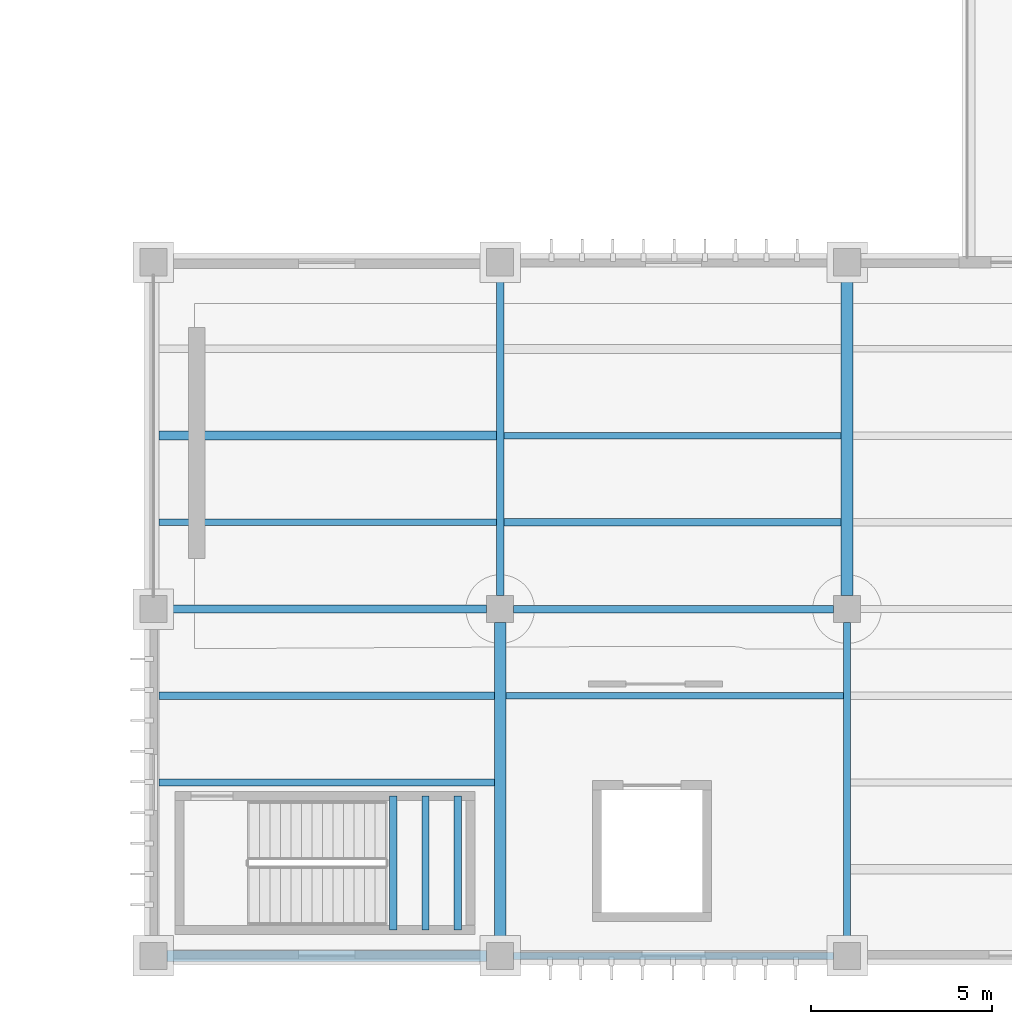
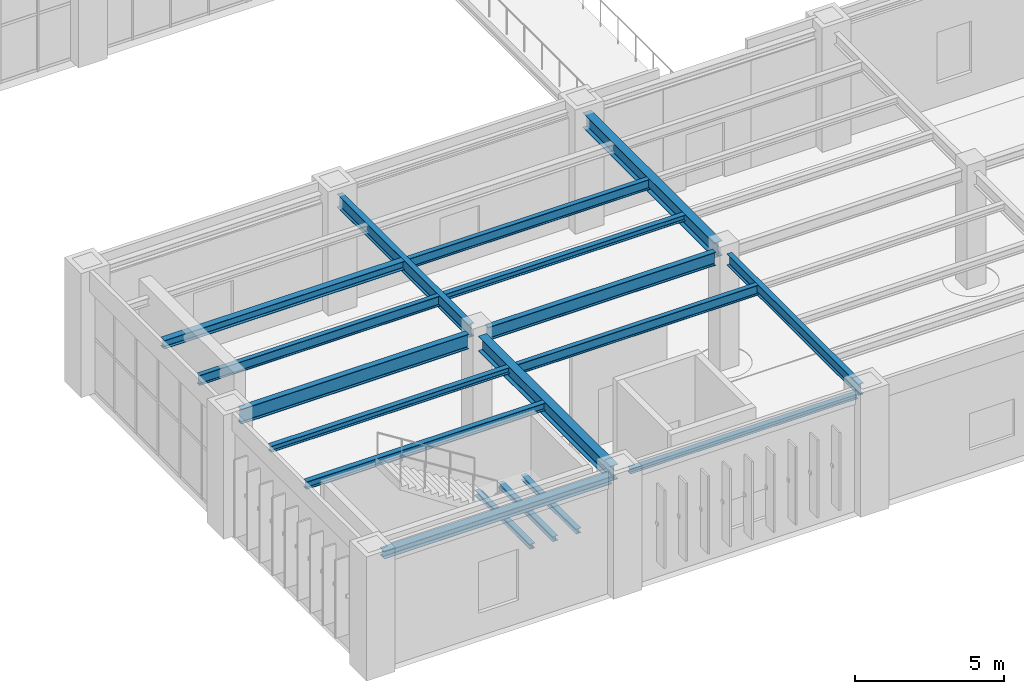
# One storey, part 45 of 174: 18 beams.
"""IFC4 building model written with IfcOpenShell, lengths in metres."""

import ifcopenshell
import ifcopenshell.guid

model = None  # the IFC model being written
_history = None  # IfcOwnerHistory: only IFC2X3 demands one
_inside = {}  # id of a spatial element -> (the spatial element, [elements in it])
_under = {}  # id of a project, library or spatial element -> (it, [spatial elements below it])
_declared = {}  # id of a project -> (the project, [libraries it declares])
_typed = {}  # id of a type object -> (the type object, [elements of that type])
_made_of = {}  # id of a material, layer set ... -> (it, [elements and type objects made of it])


def new_model(schema):
    """Start an empty IFC model of exactly this schema.

    Asked for "IFC4X3", IfcOpenShell would pick the latest addendum, in which some entities
    have other attributes; the version numbers below select the first issue.
    IFC2X3 requires an IfcOwnerHistory on every rooted entity: one is made here for all.
    """
    global model, _history
    if schema == "IFC4X3":
        model = ifcopenshell.file(schema_version=(4, 3, 0, 0))
    else:
        model = ifcopenshell.file(schema=schema)
    _inside.clear()
    _under.clear()
    _declared.clear()
    _typed.clear()
    _made_of.clear()
    _history = None
    if model.schema == "IFC2X3":
        org = make("IfcOrganization", Name="unknown")
        user = make(
            "IfcPersonAndOrganization",
            ThePerson=make("IfcPerson", FamilyName="unknown"),
            TheOrganization=org,
        )
        app = make(
            "IfcApplication",
            ApplicationDeveloper=org,
            Version="unknown",
            ApplicationFullName="unknown",
            ApplicationIdentifier="unknown",
        )
        _history = make(
            "IfcOwnerHistory",
            OwningUser=user,
            OwningApplication=app,
            ChangeAction="ADDED",
            CreationDate=0,
        )
    return model


def make(cls, **values):
    """One entity of the class cls with the attributes given. An attribute that is None is left unset."""
    return model.create_entity(
        cls, **{name: value for name, value in values.items() if value is not None}
    )


def rooted(cls, **values):
    """An entity with a GlobalId (a new one), such as an element, a storey or a relation."""
    return make(cls, GlobalId=ifcopenshell.guid.new(), OwnerHistory=_history, **values)


def si_unit(unit_type, name, prefix=None):
    """IfcSIUnit, for example si_unit("LENGTHUNIT", "METRE", prefix="MILLI")."""
    return make("IfcSIUnit", UnitType=unit_type, Prefix=prefix, Name=name)


def assignment(units):
    """IfcUnitAssignment: the units of a project."""
    return None if units is None else make("IfcUnitAssignment", Units=units)


def point(xyz):
    """IfcCartesianPoint."""
    return None if xyz is None else make("IfcCartesianPoint", Coordinates=xyz)


def direction(xyz):
    """IfcDirection."""
    return None if xyz is None else make("IfcDirection", DirectionRatios=xyz)


def frame(location, z_axis=None, x_axis=None):
    """IfcAxis2Placement3D, a coordinate frame: its origin and axes. An axis left out is left unset."""
    return make(
        "IfcAxis2Placement3D",
        Location=point(location),
        Axis=direction(z_axis),
        RefDirection=direction(x_axis),
    )


def frame_2d(location, x_axis=None):
    """IfcAxis2Placement2D, a coordinate frame in the plane: its origin and x axis."""
    return make(
        "IfcAxis2Placement2D", Location=point(location), RefDirection=direction(x_axis)
    )


def origin():
    """The frame at (0, 0, 0) with its axes left unset."""
    return frame((0.0, 0.0, 0.0))


def origin_2d():
    """The frame at (0, 0) in the plane with its x axis left unset."""
    return frame_2d((0.0, 0.0))


def place(relative_to, where):
    """IfcLocalPlacement: puts the frame where relative to a parent placement (None: the world)."""
    return make(
        "IfcLocalPlacement", PlacementRelTo=relative_to, RelativePlacement=where
    )


def context(
    kind, dimensions, precision=None, world=None, true_north=None, identifier=None
):
    """IfcGeometricRepresentationContext, for example the 3D "Model" context."""
    return make(
        "IfcGeometricRepresentationContext",
        ContextIdentifier=identifier,
        ContextType=kind,
        CoordinateSpaceDimension=dimensions,
        Precision=precision,
        WorldCoordinateSystem=world,
        TrueNorth=true_north,
    )


def subcontext(parent, identifier, kind, view, scale=None):
    """IfcGeometricRepresentationSubContext, for example "Body" below "Model"."""
    return make(
        "IfcGeometricRepresentationSubContext",
        ContextIdentifier=identifier,
        ContextType=kind,
        ParentContext=parent,
        TargetScale=scale,
        TargetView=view,
    )


def project(units=None, contexts=None):
    """IfcProject with its units and contexts."""
    return rooted(
        "IfcProject",
        Name="project",
        RepresentationContexts=contexts,
        UnitsInContext=assignment(units),
    )


def spatial(cls, under=None, at=None, **own):
    """A site, building, storey or space (cls), placed at a placement, below another one or the project."""
    s = rooted(cls, ObjectPlacement=at, **own)
    if under is not None:
        _under.setdefault(under.id(), (under, []))[1].append(s)
    return s


def profile(cls, at=None, kind="AREA", **sizes):
    """A parametric profile (cls). Its sizes go by their IFC names, for example OverallWidth=200.0."""
    return make(cls, ProfileType=kind, Position=at, **sizes)


def i_section(**sizes):
    """IfcIShapeProfileDef."""
    return profile("IfcIShapeProfileDef", **sizes)


def extrude(swept, where, along, depth):
    """IfcExtrudedAreaSolid: the profile swept, set in the frame where, extruded along a direction by depth."""
    return make(
        "IfcExtrudedAreaSolid",
        SweptArea=swept,
        Position=where,
        ExtrudedDirection=direction(along),
        Depth=depth,
    )


def shape(context_of_items, identifier, shape_type, items):
    """IfcShapeRepresentation: the items that make up one representation, for example the "Body"."""
    return make(
        "IfcShapeRepresentation",
        ContextOfItems=context_of_items,
        RepresentationIdentifier=identifier,
        RepresentationType=shape_type,
        Items=items,
    )


def material(Name=None, Category=None):
    """IfcMaterial."""
    return make("IfcMaterial", Name=Name, Category=Category)


def material_profile(
    of_material, cross_section, Name=None, Category=None, Priority=None
):
    """IfcMaterialProfile: a cross section and its material."""
    return make(
        "IfcMaterialProfile",
        Name=Name,
        Material=of_material,
        Profile=cross_section,
        Priority=Priority,
        Category=Category,
    )


def profile_set(profiles, Name=None, composite=None):
    """IfcMaterialProfileSet."""
    return make(
        "IfcMaterialProfileSet",
        Name=Name,
        MaterialProfiles=profiles,
        CompositeProfile=composite,
    )


def made_of(thing, what):
    """Note that an element or type object is made of a material, layer set ...; save() writes the relation."""
    if what is not None:
        _made_of.setdefault(what.id(), (what, []))[1].append(thing)
    return thing


def type_object(cls, material=None, **own):
    """A type object (cls), such as IfcWallType, which elements share."""
    return made_of(rooted(cls, **own), material)


def element(
    cls,
    number,
    at=None,
    inside=None,
    cuts=None,
    type_object=None,
    material=None,
    context=None,
    identifier="Body",
    shape_type=None,
    held_by="IfcProductDefinitionShape",
    body=None,
    shapes=None,
    **own,
):
    """One element of the class cls, such as IfcWall. Its Tag is "e" and its number.

    at: its placement. inside: the storey or other place that contains it. cuts: it is an
    opening in that element (IfcRelVoidsElement). A single representation is given by context,
    identifier, shape_type and body (its items); several are given by shapes. held_by: the class
    of the entity that holds the representations. save() writes the other relations.
    """
    e = rooted(cls, Tag="e%d" % number, ObjectPlacement=at, **own)
    if body is not None:
        shapes = [shape(context, identifier, shape_type, body)]
    if shapes is not None:
        e.Representation = make(held_by, Representations=shapes)
    if inside is not None:
        _inside.setdefault(inside.id(), (inside, []))[1].append(e)
    if cuts is not None:
        rooted(
            "IfcRelVoidsElement", RelatingBuildingElement=cuts, RelatedOpeningElement=e
        )
    if type_object is not None:
        _typed.setdefault(type_object.id(), (type_object, []))[1].append(e)
    return made_of(e, material)


def aggregate(whole, parts):
    """IfcRelAggregates: a whole, such as a stair, and the parts it consists of."""
    return rooted("IfcRelAggregates", RelatingObject=whole, RelatedObjects=parts)


def save(model, path):
    """Write the relations noted so far, then the file.

    IfcRelAggregates (storeys below a building ...), IfcRelContainedInSpatialStructure (elements
    in a storey), IfcRelDefinesByType, IfcRelAssociatesMaterial and IfcRelDeclares: one each for
    every whole, place, type object, material and project.
    """
    for whole, parts in _under.values():
        aggregate(whole, parts)
    for where, things in _inside.values():
        rooted(
            "IfcRelContainedInSpatialStructure",
            RelatedElements=things,
            RelatingStructure=where,
        )
    for kind, things in _typed.values():
        rooted("IfcRelDefinesByType", RelatedObjects=things, RelatingType=kind)
    for what, things in _made_of.values():
        rooted("IfcRelAssociatesMaterial", RelatedObjects=things, RelatingMaterial=what)
    for by, libraries in _declared.values():
        rooted("IfcRelDeclares", RelatingContext=by, RelatedDefinitions=libraries)
    model.write(path)


model = new_model("IFC4")

# Units and contexts
model_context = context("Model", 3, precision=1e-05, world=origin(), true_north=direction((0.0, 1.0)))
body_context = subcontext(model_context, "Body", "Model", "MODEL_VIEW")
ifc_project = project(units=[si_unit("LENGTHUNIT", "METRE"), si_unit("AREAUNIT", "SQUARE_METRE"), si_unit("VOLUMEUNIT", "CUBIC_METRE"), si_unit("PLANEANGLEUNIT", "RADIAN"), si_unit("MASSUNIT", "GRAM", prefix="KILO")], contexts=[model_context])

# Site, building, storey
site_placement = place(None, origin())
site = spatial("IfcSite", under=ifc_project, at=site_placement, CompositionType="ELEMENT")
building_placement = place(site_placement, origin())
building = spatial("IfcBuilding", under=site, at=building_placement, Name="Mavantir Sound Aquarium", CompositionType="ELEMENT")
storey_placement = place(building_placement, frame((0.0, 0.0, 5.39990234375)))
storey = spatial("IfcBuildingStorey", under=building, at=storey_placement, Name="L01", CompositionType="ELEMENT", Elevation=5.39990234375)

# Beams
ifc_material = material(Name="Structural Steel ASTM A992 Gr50", Category="steel")
ifc_material_profile_1 = material_profile(ifc_material, i_section(OverallWidth=0.202880859375, OverallDepth=0.202880859375, WebThickness=0.007080078125, FlangeThickness=0.010986328125, FilletRadius=0.010009765625, at=origin_2d()), Name="W200X46")
ifc_profile_set_1 = profile_set([ifc_material_profile_1], Name="Structural Steel ASTM A992 Gr50")
beam_type_1 = type_object("IfcBeamType", Name="BM-W200X46-E", PredefinedType="LINTEL", material=ifc_profile_set_1)
beam_1_placement = place(storey_placement, frame((117.97509765625, 0.0, 4.64453125), z_axis=(1.0, 0.0, 0.0), x_axis=(0.0, 1.0, 0.0)))
element("IfcBeam", 1, at=beam_1_placement, inside=storey, type_object=beam_type_1, Name="L01 primary beam SL-20 1398", PredefinedType="LINTEL", context=body_context, shape_type="SweptSolid", body=[
    extrude(i_section(OverallWidth=0.202880859375, OverallDepth=0.202880859375, WebThickness=0.007080078125, FlangeThickness=0.010986328125, FilletRadius=0.010009765625, at=origin_2d()), origin(), (0.0, 0.0, 1.0), 8.849853515625),
])
ifc_material_profile_2 = material_profile(ifc_material, i_section(OverallWidth=0.202880859375, OverallDepth=0.202880859375, WebThickness=0.007080078125, FlangeThickness=0.010986328125, FilletRadius=0.010009765625, at=origin_2d()), Name="W200X46")
ifc_profile_set_2 = profile_set([ifc_material_profile_2], Name="Structural Steel ASTM A992 Gr50")
beam_type_2 = type_object("IfcBeamType", Name="BM-W200X46-I", PredefinedType="LINTEL", material=ifc_profile_set_2)
for number, where, z_axis, x_axis, name in (
    (2, (114.639892578125, 0.72509765625, 2.24560546875), (0.0, 1.0, 0.0), (-1.0, 0.0, 0.0), "Stair ST6 landing support beam 133"),
    (3, (115.534912109375, 0.72509765625, 2.24560546875), (0.0, 1.0, 0.0), (-1.0, 0.0, 0.0), "Stair ST6 landing support beam 134"),
    (4, (116.429931640625, 0.72509765625, 2.24560546875), (0.0, 1.0, 0.0), (-1.0, 0.0, 0.0), "Stair ST6 landing support beam 135"),
):
    element("IfcBeam", number, at=place(storey_placement, frame(where, z_axis=z_axis, x_axis=x_axis)), inside=storey, type_object=beam_type_2, Name=name, PredefinedType="LINTEL", context=body_context, shape_type="SweptSolid", body=[
        extrude(i_section(OverallWidth=0.202880859375, OverallDepth=0.202880859375, WebThickness=0.007080078125, FlangeThickness=0.010986328125, FilletRadius=0.010009765625, at=origin_2d()), origin(), (0.0, 0.0, 1.0), 3.699951171875),
    ])
ifc_material_profile_3 = material_profile(ifc_material, i_section(OverallWidth=0.202880859375, OverallDepth=0.251953125, WebThickness=0.008056640625, FlangeThickness=0.013427734375, FilletRadius=0.011962890625, at=origin_2d()), Name="W250X58")
ifc_profile_set_3 = profile_set([ifc_material_profile_3], Name="Structural Steel ASTM A992 Gr50")
beam_type_3 = type_object("IfcBeamType", Name="BM-W250X58-I", PredefinedType="JOIST", material=ifc_profile_set_3)
beam_2_placement = place(storey_placement, frame((108.152587890625, 7.199951171875, 4.6201171875), z_axis=(1.0, 0.0, 0.0), x_axis=(0.0, 1.0, 0.0)))
element("IfcBeam", 5, at=beam_2_placement, inside=storey, type_object=beam_type_3, Name="L01 secondary floor joist SJ-25 832", PredefinedType="JOIST", context=body_context, shape_type="SweptSolid", body=[
    extrude(i_section(OverallWidth=0.202880859375, OverallDepth=0.251953125, WebThickness=0.008056640625, FlangeThickness=0.013427734375, FilletRadius=0.011962890625, at=origin_2d()), origin(), (0.0, 0.0, 1.0), 9.285400390625),
])
beam_3_placement = place(storey_placement, frame((117.7060546875, 12.0, 4.6201171875), z_axis=(1.0, 0.0, 0.0), x_axis=(0.0, 1.0, 0.0)))
element("IfcBeam", 6, at=beam_3_placement, inside=storey, type_object=beam_type_3, Name="L01 secondary floor joist SJ-25 840", PredefinedType="JOIST", context=body_context, shape_type="SweptSolid", body=[
    extrude(i_section(OverallWidth=0.202880859375, OverallDepth=0.251953125, WebThickness=0.008056640625, FlangeThickness=0.013427734375, FilletRadius=0.011962890625, at=origin_2d()), origin(), (0.0, 0.0, 1.0), 9.33203125),
])
ifc_material_profile_4 = material_profile(ifc_material, i_section(OverallWidth=0.205078125, OverallDepth=0.31005859375, WebThickness=0.009521484375, FlangeThickness=0.016357421875, FilletRadius=0.012939453125, at=origin_2d()), Name="W310X74")
ifc_profile_set_4 = profile_set([ifc_material_profile_4], Name="Structural Steel ASTM A992 Gr50")
beam_type_4 = type_object("IfcBeamType", Name="BM-W310X74-I", PredefinedType="JOIST", material=ifc_profile_set_4)
beam_4_placement = place(storey_placement, frame((108.152587890625, 4.800048828125, 4.591064453125), z_axis=(1.0, 0.0, 0.0), x_axis=(0.0, 1.0, 0.0)))
element("IfcBeam", 7, at=beam_4_placement, inside=storey, type_object=beam_type_4, Name="L01 secondary floor joist SJ-31 831", PredefinedType="JOIST", context=body_context, shape_type="SweptSolid", body=[
    extrude(i_section(OverallWidth=0.205078125, OverallDepth=0.31005859375, WebThickness=0.009521484375, FlangeThickness=0.016357421875, FilletRadius=0.012939453125, at=origin_2d()), origin(), (0.0, 0.0, 1.0), 9.285400390625),
])
ifc_material_profile_5 = material_profile(ifc_material, i_section(OverallWidth=0.304931640625, OverallDepth=0.30810546875, WebThickness=0.010009765625, FlangeThickness=0.015380859375, FilletRadius=0.014892578125, at=origin_2d()), Name="W310X97")
ifc_profile_set_5 = profile_set([ifc_material_profile_5], Name="Structural Steel ASTM A992 Gr50")
beam_type_5 = type_object("IfcBeamType", Name="BM-W310X97-E", PredefinedType="SPANDREL", material=ifc_profile_set_5)
beam_5_placement = place(storey_placement, frame((108.375, 0.0, 4.592041015625), z_axis=(1.0, 0.0, 0.0), x_axis=(0.0, 1.0, 0.0)))
element("IfcBeam", 8, at=beam_5_placement, inside=storey, type_object=beam_type_5, Name="L01 primary beam SS-31A 1397", PredefinedType="SPANDREL", context=body_context, shape_type="SweptSolid", body=[
    extrude(i_section(OverallWidth=0.304931640625, OverallDepth=0.30810546875, WebThickness=0.010009765625, FlangeThickness=0.015380859375, FilletRadius=0.014892578125, at=origin_2d()), origin(), (0.0, 0.0, 1.0), 8.85009765625),
])
ifc_material_profile_6 = material_profile(ifc_material, i_section(OverallWidth=0.25390625, OverallDepth=0.35302734375, WebThickness=0.009521484375, FlangeThickness=0.016357421875, FilletRadius=0.014892578125, at=origin_2d()), Name="W360X91")
ifc_profile_set_6 = profile_set([ifc_material_profile_6], Name="Structural Steel ASTM A992 Gr50")
beam_type_6 = type_object("IfcBeamType", Name="BM-W360X91-I", PredefinedType="JOIST", material=ifc_profile_set_6)
beam_6_placement = place(storey_placement, frame((108.152587890625, 14.39990234375, 4.569580078125), z_axis=(1.0, 0.0, 0.0), x_axis=(0.0, 1.0, 0.0)))
element("IfcBeam", 9, at=beam_6_placement, inside=storey, type_object=beam_type_6, Name="L01 secondary floor joist SJ-36 838", PredefinedType="JOIST", context=body_context, shape_type="SweptSolid", body=[
    extrude(i_section(OverallWidth=0.25390625, OverallDepth=0.35302734375, WebThickness=0.009521484375, FlangeThickness=0.016357421875, FilletRadius=0.014892578125, at=origin_2d()), origin(), (0.0, 0.0, 1.0), 9.34130859375),
])
ifc_material_profile_7 = material_profile(ifc_material, i_section(OverallWidth=0.180908203125, OverallDepth=0.4169921875, WebThickness=0.010986328125, FlangeThickness=0.018310546875, FilletRadius=0.014892578125, at=origin_2d()), Name="W410X85")
ifc_profile_set_7 = profile_set([ifc_material_profile_7], Name="Structural Steel ASTM A992 Gr50")
beam_type_7 = type_object("IfcBeamType", Name="BM-W410X85-I", PredefinedType="JOIST", material=ifc_profile_set_7)
beam_7_placement = place(storey_placement, frame((117.761962890625, 7.199951171875, 4.53759765625), z_axis=(1.0, 0.0, 0.0), x_axis=(0.0, 1.0, 0.0)))
element("IfcBeam", 10, at=beam_7_placement, inside=storey, type_object=beam_type_7, Name="L01 secondary floor joist SJ-41 833", PredefinedType="JOIST", context=body_context, shape_type="SweptSolid", body=[
    extrude(i_section(OverallWidth=0.180908203125, OverallDepth=0.4169921875, WebThickness=0.010986328125, FlangeThickness=0.018310546875, FilletRadius=0.014892578125, at=origin_2d()), origin(), (0.0, 0.0, 1.0), 9.341064453125),
])
beam_8_placement = place(storey_placement, frame((108.152587890625, 12.0, 4.53759765625), z_axis=(1.0, 0.0, 0.0), x_axis=(0.0, 1.0, 0.0)))
element("IfcBeam", 11, at=beam_8_placement, inside=storey, type_object=beam_type_7, Name="L01 secondary floor joist SJ-41 837", PredefinedType="JOIST", context=body_context, shape_type="SweptSolid", body=[
    extrude(i_section(OverallWidth=0.180908203125, OverallDepth=0.4169921875, WebThickness=0.010986328125, FlangeThickness=0.018310546875, FilletRadius=0.014892578125, at=origin_2d()), origin(), (0.0, 0.0, 1.0), 9.34130859375),
])
beam_9_placement = place(storey_placement, frame((117.7060546875, 14.39990234375, 4.53759765625), z_axis=(1.0, 0.0, 0.0), x_axis=(0.0, 1.0, 0.0)))
element("IfcBeam", 12, at=beam_9_placement, inside=storey, type_object=beam_type_7, Name="L01 secondary floor joist SJ-41 841", PredefinedType="JOIST", context=body_context, shape_type="SweptSolid", body=[
    extrude(i_section(OverallWidth=0.180908203125, OverallDepth=0.4169921875, WebThickness=0.010986328125, FlangeThickness=0.018310546875, FilletRadius=0.014892578125, at=origin_2d()), origin(), (0.0, 0.0, 1.0), 9.33203125),
])
ifc_material_profile_8 = material_profile(ifc_material, i_section(OverallWidth=0.194091796875, OverallDepth=0.468994140625, WebThickness=0.0126953125, FlangeThickness=0.0205078125, FilletRadius=0.01611328125, at=origin_2d()), Name="W460X106")
ifc_profile_set_8 = profile_set([ifc_material_profile_8], Name="Structural Steel ASTM A992 Gr50")
beam_type_8 = type_object("IfcBeamType", Name="BM-W460X106-I", PredefinedType="BEAM", material=ifc_profile_set_8)
beam_10_placement = place(storey_placement, frame((127.199951171875, 0.375, 4.51171875), z_axis=(0.0, 1.0, 0.0), x_axis=(-1.0, 0.0, 0.0)))
element("IfcBeam", 13, at=beam_10_placement, inside=storey, type_object=beam_type_8, Name="L01 primary girder SB-46 1413", PredefinedType="BEAM", context=body_context, shape_type="SweptSolid", body=[
    extrude(i_section(OverallWidth=0.194091796875, OverallDepth=0.468994140625, WebThickness=0.0126953125, FlangeThickness=0.0205078125, FilletRadius=0.01611328125, at=origin_2d()), origin(), (0.0, 0.0, 1.0), 8.85009765625),
])
ifc_material_profile_9 = material_profile(ifc_material, i_section(OverallWidth=0.2119140625, OverallDepth=0.5439453125, WebThickness=0.01318359375, FlangeThickness=0.021240234375, FilletRadius=0.01806640625, at=origin_2d()), Name="W530X123")
ifc_profile_set_9 = profile_set([ifc_material_profile_9], Name="Structural Steel ASTM A992 Gr50")
beam_type_9 = type_object("IfcBeamType", Name="BM-W530X123-I", PredefinedType="BEAM", material=ifc_profile_set_9)
for number, where, z_axis, x_axis, name in (
    (14, (117.97509765625, 9.60009765625, 4.47412109375), (1.0, 0.0, 0.0), (0.0, 1.0, 0.0), "L01 primary beam SB-53 1402"),
    (15, (117.60009765625, 9.97509765625, 4.47412109375), (0.0, 1.0, 0.0), (-1.0, 0.0, 0.0), "L01 primary girder SB-53 1412"),
):
    element("IfcBeam", number, at=place(storey_placement, frame(where, z_axis=z_axis, x_axis=x_axis)), inside=storey, type_object=beam_type_9, Name=name, PredefinedType="BEAM", context=body_context, shape_type="SweptSolid", body=[
        extrude(i_section(OverallWidth=0.2119140625, OverallDepth=0.5439453125, WebThickness=0.01318359375, FlangeThickness=0.021240234375, FilletRadius=0.01806640625, at=origin_2d()), origin(), (0.0, 0.0, 1.0), 8.849853515625),
    ])
ifc_material_profile_10 = material_profile(ifc_material, i_section(OverallWidth=0.22900390625, OverallDepth=0.612060546875, WebThickness=0.011962890625, FlangeThickness=0.01953125, FilletRadius=0.01904296875, at=origin_2d()), Name="W610X125")
ifc_profile_set_10 = profile_set([ifc_material_profile_10], Name="Structural Steel ASTM A992 Gr50")
beam_type_10 = type_object("IfcBeamType", Name="BM-W610X125-I", PredefinedType="BEAM", material=ifc_profile_set_10)
beam_11_placement = place(storey_placement, frame((108.375, 9.60009765625, 4.440185546875), z_axis=(1.0, 0.0, 0.0), x_axis=(0.0, 1.0, 0.0)))
element("IfcBeam", 16, at=beam_11_placement, inside=storey, type_object=beam_type_10, Name="L01 primary beam SB-61B 1401", PredefinedType="BEAM", context=body_context, shape_type="SweptSolid", body=[
    extrude(i_section(OverallWidth=0.22900390625, OverallDepth=0.612060546875, WebThickness=0.011962890625, FlangeThickness=0.01953125, FilletRadius=0.01904296875, at=origin_2d()), origin(), (0.0, 0.0, 1.0), 8.85009765625),
])
ifc_material_profile_11 = material_profile(ifc_material, i_section(OverallWidth=0.323974609375, OverallDepth=0.611083984375, WebThickness=0.0126953125, FlangeThickness=0.01904296875, FilletRadius=0.01904296875, at=origin_2d()), Name="W610X155")
ifc_profile_set_11 = profile_set([ifc_material_profile_11], Name="Structural Steel ASTM A992 Gr50")
beam_type_11 = type_object("IfcBeamType", Name="BM-W610X155-I", PredefinedType="BEAM", material=ifc_profile_set_11)
beam_12_placement = place(storey_placement, frame((117.60009765625, 0.375, 4.440673828125), z_axis=(0.0, 1.0, 0.0), x_axis=(-1.0, 0.0, 0.0)))
element("IfcBeam", 17, at=beam_12_placement, inside=storey, type_object=beam_type_11, Name="L01 primary girder SB-61A 1411", PredefinedType="BEAM", context=body_context, shape_type="SweptSolid", body=[
    extrude(i_section(OverallWidth=0.323974609375, OverallDepth=0.611083984375, WebThickness=0.0126953125, FlangeThickness=0.01904296875, FilletRadius=0.01904296875, at=origin_2d()), origin(), (0.0, 0.0, 1.0), 8.85009765625),
])
beam_13_placement = place(storey_placement, frame((127.199951171875, 9.97509765625, 4.440673828125), z_axis=(0.0, 1.0, 0.0), x_axis=(-1.0, 0.0, 0.0)))
element("IfcBeam", 18, at=beam_13_placement, inside=storey, type_object=beam_type_11, Name="L01 primary girder SB-61A 1414", PredefinedType="BEAM", context=body_context, shape_type="SweptSolid", body=[
    extrude(i_section(OverallWidth=0.323974609375, OverallDepth=0.611083984375, WebThickness=0.0126953125, FlangeThickness=0.01904296875, FilletRadius=0.01904296875, at=origin_2d()), origin(), (0.0, 0.0, 1.0), 8.849853515625),
])

save(model, "model.ifc")
